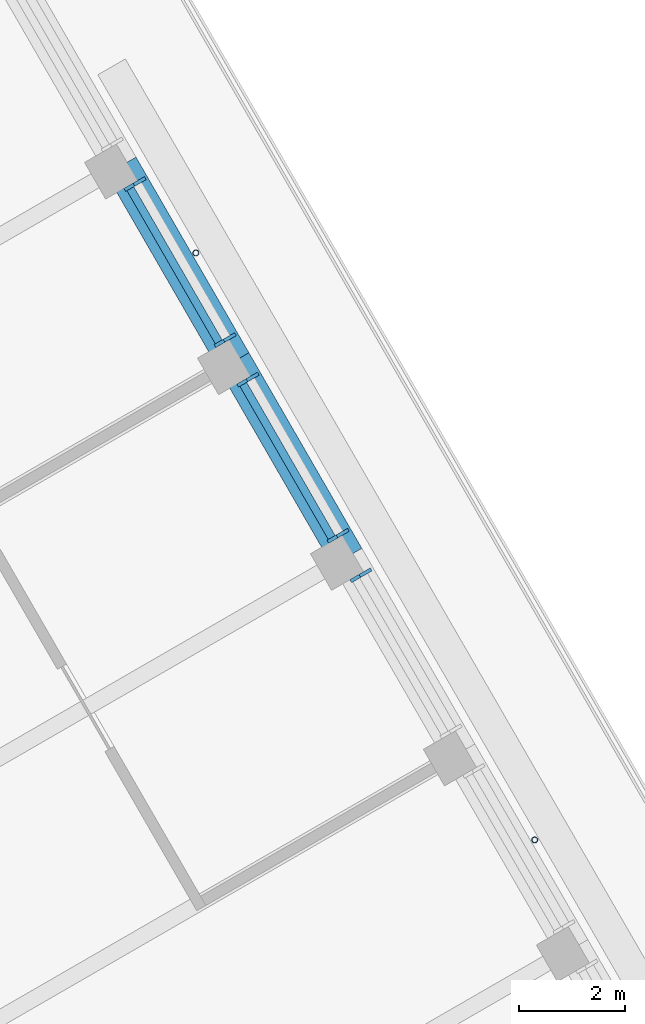
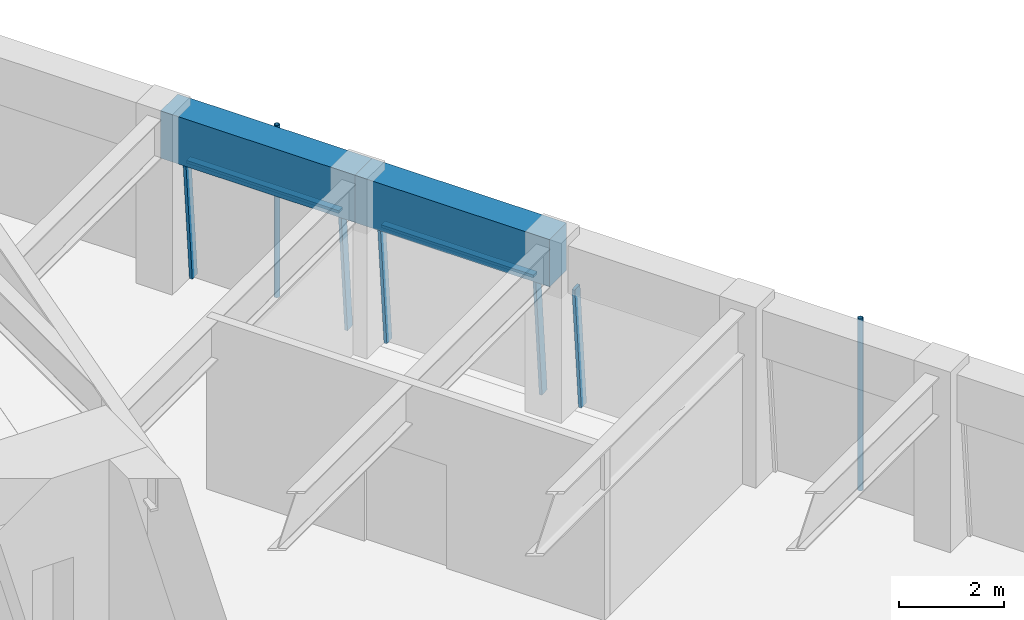
# One storey, part 10 of 20: 9 members, 2 beams, 3 elements without a shape of their own.
"""IFC4 building model written with IfcOpenShell, lengths in metres."""

from ifc_helpers import new_model, si_unit, direction, frame, origin, origin_2d, place, context, subcontext, project, spatial, rectangle, hollow_circle, extrude, material, material_profile, profile_set, type_object, element, aggregate, save


model = new_model("IFC4")

# Units and contexts
model_context = context("Model", 3, precision=1e-05, world=origin(), true_north=direction((0.0, 1.0)))
body_context = subcontext(model_context, "Body", "Model", "MODEL_VIEW")
ifc_project = project(units=[si_unit("LENGTHUNIT", "METRE"), si_unit("AREAUNIT", "SQUARE_METRE"), si_unit("VOLUMEUNIT", "CUBIC_METRE"), si_unit("PLANEANGLEUNIT", "RADIAN"), si_unit("MASSUNIT", "GRAM", prefix="KILO")], contexts=[model_context])

# Site, building, storey
site_placement = place(None, origin())
site = spatial("IfcSite", under=ifc_project, at=site_placement, CompositionType="ELEMENT")
building_placement = place(site_placement, origin())
building = spatial("IfcBuilding", under=site, at=building_placement, Name="Tarfa Lantern Tower", CompositionType="ELEMENT")
storey_placement = place(building_placement, frame((0.0, 0.0, 378.699951171875)))
storey = spatial("IfcBuildingStorey", under=building, at=storey_placement, Name="L86", CompositionType="ELEMENT", Elevation=378.699951171875)

# Curtain wall, member
ifc_material_1 = material(Name="Aluminium framed curtain wall", Category="aluminium")
curtain_wall_type = type_object("IfcCurtainWallType", Name="CW4 CANTED GLAZING EXECUTIVE ZONE 2900", PredefinedType="USERDEFINED", material=ifc_material_1)
curtain_wall_1_placement = place(storey_placement, origin())
curtain_wall_1 = element("IfcCurtainWall", 1, at=curtain_wall_1_placement, inside=storey, type_object=curtain_wall_type, Name="CW4 NE L86", ObjectType="CURTAIN WALL", PredefinedType="USERDEFINED")
ifc_material_2 = material(Name="Aluminium mullion", Category="aluminium")
ifc_material_profile_1 = material_profile(ifc_material_2, rectangle(XDim=0.06494140625, YDim=0.199951171875, at=origin_2d()), Name="AL MULLION 65x200")
ifc_profile_set_1 = profile_set([ifc_material_profile_1], Name="Aluminium mullion")
member_type_1 = type_object("IfcMemberType", Name="CWM1 MULLION 65x200", PredefinedType="MULLION", material=ifc_profile_set_1)
member_1_placement = place(storey_placement, frame((23.2958984375, 12.950439453125, 0.0), z_axis=(-0.074393603155, -0.042941967097, 0.996303959277), x_axis=(0.499919672301, -0.866071776036, 0.0)))
member_1 = element("IfcMember", 2, at=member_1_placement, type_object=member_type_1, Name="CW4 mullion 2", PredefinedType="MULLION", context=body_context, shape_type="SweptSolid", body=[
    extrude(rectangle(XDim=0.06494140625, YDim=0.199951171875, at=origin_2d()), origin(), (0.0, 0.0, 1.0), 2.910888671875),
])
aggregate(curtain_wall_1, [member_1])

# Curtain wall, members
curtain_wall_2_placement = place(storey_placement, origin())
curtain_wall_2 = element("IfcCurtainWall", 3, at=curtain_wall_2_placement, inside=storey, type_object=curtain_wall_type, Name="CW4 NE L86", ObjectType="CURTAIN WALL", PredefinedType="USERDEFINED")
member_2_placement = place(storey_placement, frame((22.86328125, 13.699462890625, 0.0), z_axis=(-0.074393603155, -0.042941967097, 0.996303959277), x_axis=(0.499919672301, -0.866071776036, 0.0)))
member_2 = element("IfcMember", 4, at=member_2_placement, type_object=member_type_1, Name="CW4 mullion 1", PredefinedType="MULLION", context=body_context, shape_type="SweptSolid", body=[
    extrude(rectangle(XDim=0.06494140625, YDim=0.199951171875, at=origin_2d()), origin(), (0.0, 0.0, 1.0), 2.910888671875),
])
member_3_placement = place(storey_placement, frame((21.15478515625, 16.65869140625, 0.0), z_axis=(-0.074393603155, -0.042941967097, 0.996303959277), x_axis=(0.499919672301, -0.866071776036, 0.0)))
member_3 = element("IfcMember", 5, at=member_3_placement, type_object=member_type_1, Name="CW4 mullion 2", PredefinedType="MULLION", context=body_context, shape_type="SweptSolid", body=[
    extrude(rectangle(XDim=0.06494140625, YDim=0.199951171875, at=origin_2d()), origin(), (0.0, 0.0, 1.0), 2.910888671875),
])

curtain_wall_3_placement = place(storey_placement, origin())
curtain_wall_3 = element("IfcCurtainWall", 6, at=curtain_wall_3_placement, inside=storey, type_object=curtain_wall_type, Name="CW4 NE L86", ObjectType="CURTAIN WALL", PredefinedType="USERDEFINED")
member_4_placement = place(storey_placement, frame((20.722412109375, 17.407958984375, 0.0), z_axis=(-0.074393603155, -0.042941967097, 0.996303959277), x_axis=(0.499919672301, -0.866071776036, 0.0)))
member_4 = element("IfcMember", 7, at=member_4_placement, type_object=member_type_1, Name="CW4 mullion 1", PredefinedType="MULLION", context=body_context, shape_type="SweptSolid", body=[
    extrude(rectangle(XDim=0.06494140625, YDim=0.199951171875, at=origin_2d()), origin(), (0.0, 0.0, 1.0), 2.910888671875),
])
member_5_placement = place(storey_placement, frame((19.013916015625, 20.3671875, 0.0), z_axis=(-0.074393603155, -0.042941967097, 0.996303959277), x_axis=(0.499919672301, -0.866071776036, 0.0)))
member_5 = element("IfcMember", 8, at=member_5_placement, type_object=member_type_1, Name="CW4 mullion 2", PredefinedType="MULLION", context=body_context, shape_type="SweptSolid", body=[
    extrude(rectangle(XDim=0.06494140625, YDim=0.199951171875, at=origin_2d()), origin(), (0.0, 0.0, 1.0), 2.910888671875),
])

# Member
ifc_material_3 = material(Name="Aluminium transom", Category="aluminium")
ifc_material_profile_2 = material_profile(ifc_material_3, rectangle(XDim=0.14990234375, YDim=0.06494140625, at=origin_2d()), Name="AL TRANSOM 150x65")
ifc_profile_set_2 = profile_set([ifc_material_profile_2], Name="Aluminium transom")
member_type_2 = type_object("IfcMemberType", Name="CWT1 TRANSOM 150x65", PredefinedType="USERDEFINED", material=ifc_profile_set_2)
member_6_placement = place(storey_placement, frame((22.633056640625, 13.60400390625, 2.867431640625), z_axis=(-0.499985139611, 0.866033983264, 0.0), x_axis=(-0.866033983264, -0.499985139611, 0.0)))
member_6 = element("IfcMember", 9, at=member_6_placement, type_object=member_type_2, Name="CW4 transom 1.2", ObjectType="TRANSOM", PredefinedType="USERDEFINED", context=body_context, shape_type="SweptSolid", body=[
    extrude(rectangle(XDim=0.14990234375, YDim=0.06494140625, at=origin_2d()), origin(), (0.0, 0.0, 1.0), 3.35205078125),
])

aggregate(curtain_wall_2, [member_2, member_3, member_6])

member_7_placement = place(storey_placement, frame((20.491943359375, 17.3125, 2.867431640625), z_axis=(-0.500016677412, 0.866015774862, 0.0), x_axis=(-0.866015774862, -0.500016677412, 0.0)))
member_7 = element("IfcMember", 10, at=member_7_placement, type_object=member_type_2, Name="CW4 transom 1.2", ObjectType="TRANSOM", PredefinedType="USERDEFINED", context=body_context, shape_type="SweptSolid", body=[
    extrude(rectangle(XDim=0.14990234375, YDim=0.06494140625, at=origin_2d()), origin(), (0.0, 0.0, 1.0), 3.35205078125),
])

aggregate(curtain_wall_3, [member_4, member_5, member_7])

# Beams
ifc_material_4 = material(Name="Concrete C80/95", Category="concrete")
ifc_material_profile_3 = material_profile(ifc_material_4, rectangle(XDim=0.64990234375, YDim=1.10009765625, at=origin_2d()), Name="RC 650x1100")
ifc_profile_set_3 = profile_set([ifc_material_profile_3], Name="Concrete C80/95")
beam_type = type_object("IfcBeamType", Name="EB4 RC 650x1100", PredefinedType="SPANDREL", material=ifc_profile_set_3)
for number, where, z_axis, x_axis, name in (
    (11, (22.923583984375, 13.235107421875, 3.449951171875), (-0.499984039138, 0.866034618596, 0.0), (-0.866034618596, -0.499984039138, 0.0), "Edge beam NE3"),
    (12, (20.78271484375, 16.943359375, 3.449951171875), (-0.500026801138, 0.866009929587, 0.0), (-0.866009929587, -0.500026801138, 0.0), "Edge beam NE4"),
):
    element("IfcBeam", number, at=place(storey_placement, frame(where, z_axis=z_axis, x_axis=x_axis)), inside=storey, type_object=beam_type, Name=name, PredefinedType="SPANDREL", context=body_context, shape_type="SweptSolid", body=[
        extrude(rectangle(XDim=0.64990234375, YDim=1.10009765625, at=origin_2d()), origin(), (0.0, 0.0, 1.0), 4.281982421875),
    ])

# Members
ifc_material_5 = material(Name="Steel S355", Category="steel")
ifc_material_profile_4 = material_profile(ifc_material_5, hollow_circle(Radius=0.05712890625, WallThickness=0.00634765625, at=origin_2d()), Name="CHS114.3x6.3")
ifc_profile_set_4 = profile_set([ifc_material_profile_4], Name="Steel S355")
member_type_3 = type_object("IfcMemberType", Name="TR1 GREEN WALL TRELLIS CHS114.3x6.3", PredefinedType="USERDEFINED", material=ifc_profile_set_4)
for number, where, z_axis, x_axis, name in (
    (13, (26.481689453125, 7.87255859375, 0.0), (0.0, 0.0, 1.0), (1.0, 0.0, 0.0), "Trellis post NE 1"),
    (14, (20.05859375, 18.99755859375, 0.0), (0.0, 0.0, 1.0), (1.0, 0.0, 0.0), "Trellis post NE 2"),
):
    element("IfcMember", number, at=place(storey_placement, frame(where, z_axis=z_axis, x_axis=x_axis)), inside=storey, type_object=member_type_3, Name=name, ObjectType="TRELLIS", PredefinedType="USERDEFINED", context=body_context, shape_type="SweptSolid", body=[
        extrude(hollow_circle(Radius=0.05712890625, WallThickness=0.00634765625, at=origin_2d()), origin(), (0.0, 0.0, 1.0), 4.0),
    ])

save(model, "model.ifc")
